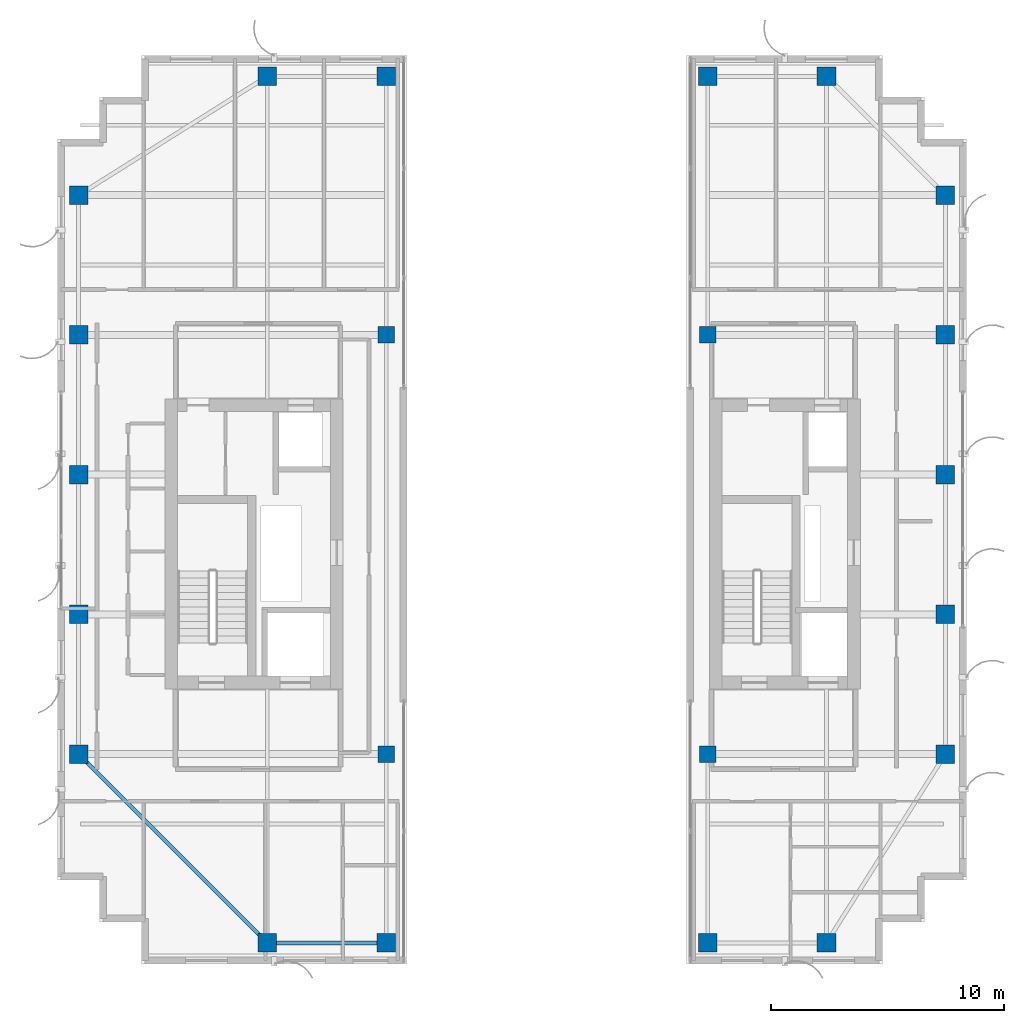
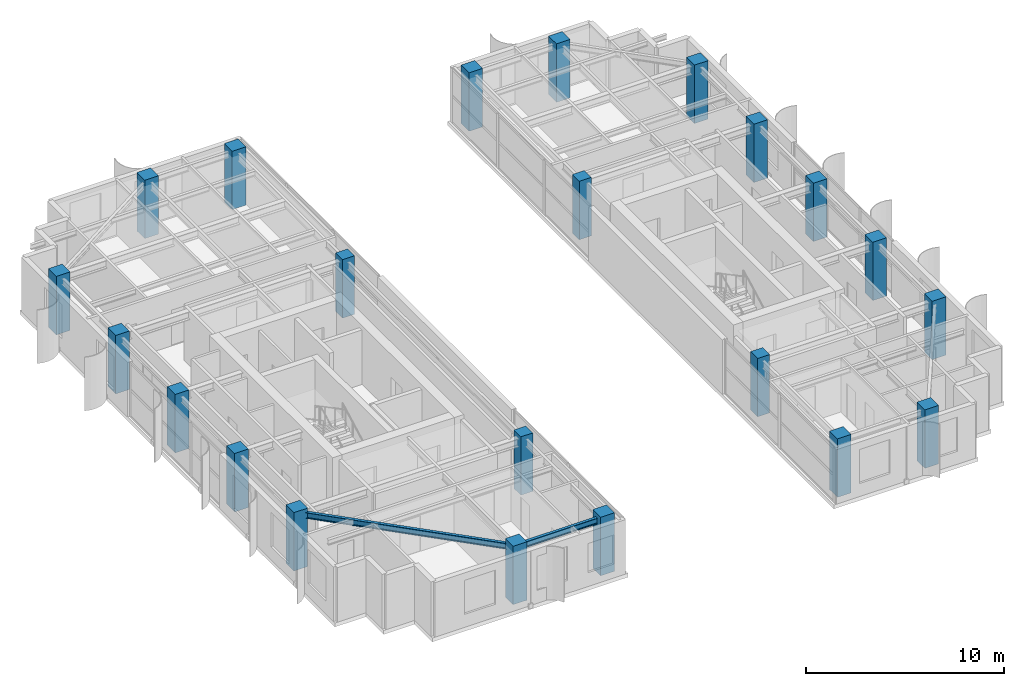
# One storey, part 1 of 24: 22 columns, 2 beams.
"""IFC4 building model written with IfcOpenShell, lengths in metres."""

from ifc_helpers import new_model, si_unit, direction, frame, origin, origin_2d, place, context, subcontext, project, spatial, rectangle, i_section, extrude, source, transform, mapped, material, material_profile, profile_set, type_object, element, save


model = new_model("IFC4")

# Units and contexts
model_context = context("Model", 3, precision=1e-05, world=origin(), true_north=direction((0.0, 1.0)))
body_context = subcontext(model_context, "Body", "Model", "MODEL_VIEW")
ifc_project = project(units=[si_unit("LENGTHUNIT", "METRE"), si_unit("AREAUNIT", "SQUARE_METRE"), si_unit("VOLUMEUNIT", "CUBIC_METRE"), si_unit("PLANEANGLEUNIT", "RADIAN"), si_unit("MASSUNIT", "GRAM", prefix="KILO")], contexts=[model_context])

# Site, building, storey
site_placement = place(None, origin())
site = spatial("IfcSite", under=ifc_project, at=site_placement, CompositionType="ELEMENT")
building_placement = place(site_placement, origin())
building = spatial("IfcBuilding", under=site, at=building_placement, Name="Khoralis Quay Care Tower", CompositionType="ELEMENT")
storey_placement = place(building_placement, frame((0.0, 0.0, 231.300048828125)))
storey = spatial("IfcBuildingStorey", under=building, at=storey_placement, Name="L60", CompositionType="ELEMENT", Elevation=231.300048828125)

# Columns
ifc_material_1 = material(Name="Concrete C50/60", Category="concrete")
ifc_material_profile_1 = material_profile(ifc_material_1, rectangle(XDim=0.800048828125, YDim=0.800048828125, at=origin_2d()), Name="Concrete C50/60")
ifc_profile_set_1 = profile_set([ifc_material_profile_1], Name="Concrete C50/60")
column_type_1 = type_object("IfcColumnType", Name="COL-C800", PredefinedType="COLUMN", material=ifc_profile_set_1)
shared_shape_1 = source(origin(), body_context, "Body", "SweptSolid", [
    extrude(rectangle(XDim=0.800048828125, YDim=0.800048828125, at=origin_2d()), origin(), (0.0, 0.0, 1.0), 3.599853515625),
])
for number, where, z_axis, x_axis, name in (
    (1, (12.0, 3.89990234375, 0.0), (0.0, 0.0, 1.0), (1.0, 0.0, 0.0), "COL-TWR-L60-01"),
    (2, (12.0, 41.10009765625, 0.0), (0.0, 0.0, 1.0), (1.0, 0.0, 0.0), "COL-TWR-L60-02"),
    (3, (17.10009765625, 3.89990234375, 0.0), (0.0, 0.0, 1.0), (1.0, 0.0, 0.0), "COL-TWR-L60-03"),
    (4, (17.10009765625, 41.10009765625, 0.0), (0.0, 0.0, 1.0), (1.0, 0.0, 0.0), "COL-TWR-L60-04"),
    (5, (30.89990234375, 3.89990234375, 0.0), (0.0, 0.0, 1.0), (1.0, 0.0, 0.0), "COL-TWR-L60-05"),
    (6, (30.89990234375, 41.10009765625, 0.0), (0.0, 0.0, 1.0), (1.0, 0.0, 0.0), "COL-TWR-L60-06"),
    (7, (36.0, 3.89990234375, 0.0), (0.0, 0.0, 1.0), (1.0, 0.0, 0.0), "COL-TWR-L60-07"),
    (8, (36.0, 41.10009765625, 0.0), (0.0, 0.0, 1.0), (1.0, 0.0, 0.0), "COL-TWR-L60-08"),
    (9, (3.89990234375, 12.0, 0.0), (0.0, 0.0, 1.0), (1.0, 0.0, 0.0), "COL-TWR-L60-09"),
    (10, (41.10009765625, 12.0, 0.0), (0.0, 0.0, 1.0), (1.0, 0.0, 0.0), "COL-TWR-L60-10"),
    (11, (3.89990234375, 18.0, 0.0), (0.0, 0.0, 1.0), (1.0, 0.0, 0.0), "COL-TWR-L60-11"),
    (12, (41.10009765625, 18.0, 0.0), (0.0, 0.0, 1.0), (1.0, 0.0, 0.0), "COL-TWR-L60-12"),
    (13, (3.89990234375, 24.0, 0.0), (0.0, 0.0, 1.0), (1.0, 0.0, 0.0), "COL-TWR-L60-13"),
    (14, (41.10009765625, 24.0, 0.0), (0.0, 0.0, 1.0), (1.0, 0.0, 0.0), "COL-TWR-L60-14"),
    (15, (3.89990234375, 30.0, 0.0), (0.0, 0.0, 1.0), (1.0, 0.0, 0.0), "COL-TWR-L60-15"),
    (16, (41.10009765625, 30.0, 0.0), (0.0, 0.0, 1.0), (1.0, 0.0, 0.0), "COL-TWR-L60-16"),
    (17, (3.89990234375, 36.0, 0.0), (0.0, 0.0, 1.0), (1.0, 0.0, 0.0), "COL-TWR-L60-17"),
    (18, (41.10009765625, 36.0, 0.0), (0.0, 0.0, 1.0), (1.0, 0.0, 0.0), "COL-TWR-L60-18"),
):
    element("IfcColumn", number, at=place(storey_placement, frame(where, z_axis=z_axis, x_axis=x_axis)), inside=storey, type_object=column_type_1, Name=name, PredefinedType="COLUMN", context=body_context, shape_type="MappedRepresentation", body=[
        mapped(shared_shape_1, transform((0.0, 0.0, 0.0), scale=1.0)),
    ])
ifc_material_profile_2 = material_profile(ifc_material_1, rectangle(XDim=0.699951171875, YDim=0.699951171875, at=origin_2d()), Name="Concrete C50/60")
ifc_profile_set_2 = profile_set([ifc_material_profile_2], Name="Concrete C50/60")
column_type_2 = type_object("IfcColumnType", Name="COL-C700", PredefinedType="COLUMN", material=ifc_profile_set_2)
shared_shape_2 = source(origin(), body_context, "Body", "SweptSolid", [
    extrude(rectangle(XDim=0.699951171875, YDim=0.699951171875, at=origin_2d()), origin(), (0.0, 0.0, 1.0), 3.599853515625),
])
for number, where, z_axis, x_axis, name in (
    (19, (17.10009765625, 12.0, 0.0), (0.0, 0.0, 1.0), (1.0, 0.0, 0.0), "COL-TWR-L60-19"),
    (20, (17.10009765625, 30.0, 0.0), (0.0, 0.0, 1.0), (1.0, 0.0, 0.0), "COL-TWR-L60-20"),
    (21, (30.89990234375, 12.0, 0.0), (0.0, 0.0, 1.0), (1.0, 0.0, 0.0), "COL-TWR-L60-21"),
    (22, (30.89990234375, 30.0, 0.0), (0.0, 0.0, 1.0), (1.0, 0.0, 0.0), "COL-TWR-L60-22"),
):
    element("IfcColumn", number, at=place(storey_placement, frame(where, z_axis=z_axis, x_axis=x_axis)), inside=storey, type_object=column_type_2, Name=name, PredefinedType="COLUMN", context=body_context, shape_type="MappedRepresentation", body=[
        mapped(shared_shape_2, transform((0.0, 0.0, 0.0), scale=1.0)),
    ])

# Beams
ifc_material_2 = material(Name="Steel S355", Category="steel")
ifc_material_profile_3 = material_profile(ifc_material_2, i_section(OverallWidth=0.169921875, OverallDepth=0.360107421875, WebThickness=0.008056640625, FlangeThickness=0.0126953125, FilletRadius=0.01806640625, at=origin_2d()), Name="Steel S355")
ifc_profile_set_3 = profile_set([ifc_material_profile_3], Name="Steel S355")
beam_type = type_object("IfcBeamType", Name="BM-IPE360", PredefinedType="SPANDREL", material=ifc_profile_set_3)
shared_shape_3 = source(origin(), body_context, "Body", "SweptSolid", [
    extrude(i_section(OverallWidth=0.169921875, OverallDepth=0.360107421875, WebThickness=0.008056640625, FlangeThickness=0.0126953125, FilletRadius=0.01806640625, at=origin_2d()), origin(), (0.0, 0.0, 1.0), 5.10009765625),
])
beam_1_placement = place(storey_placement, frame((12.0, 3.89990234375, 3.179931640625), z_axis=(1.0, 0.0, 0.0), x_axis=(0.0, 1.0, 0.0)))
element("IfcBeam", 23, at=beam_1_placement, inside=storey, type_object=beam_type, Name="BM-TSP-L60-01", PredefinedType="SPANDREL", context=body_context, shape_type="MappedRepresentation", body=[
    mapped(shared_shape_3, transform((0.0, 0.0, 0.0), scale=1.0)),
])
shared_shape_4 = source(origin(), body_context, "Body", "SweptSolid", [
    extrude(i_section(OverallWidth=0.169921875, OverallDepth=0.360107421875, WebThickness=0.008056640625, FlangeThickness=0.0126953125, FilletRadius=0.01806640625, at=origin_2d()), origin(), (0.0, 0.0, 1.0), 11.455322265625),
])
beam_2_placement = place(storey_placement, frame((12.0, 3.89990234375, 3.179931640625), z_axis=(-0.707106781187, 0.707106781187, 0.0), x_axis=(-0.707106781187, -0.707106781187, 0.0)))
element("IfcBeam", 24, at=beam_2_placement, inside=storey, type_object=beam_type, Name="BM-TCR-L60-13", PredefinedType="SPANDREL", context=body_context, shape_type="MappedRepresentation", body=[
    mapped(shared_shape_4, transform((0.0, 0.0, 0.0), scale=1.0)),
])

save(model, "model.ifc")
